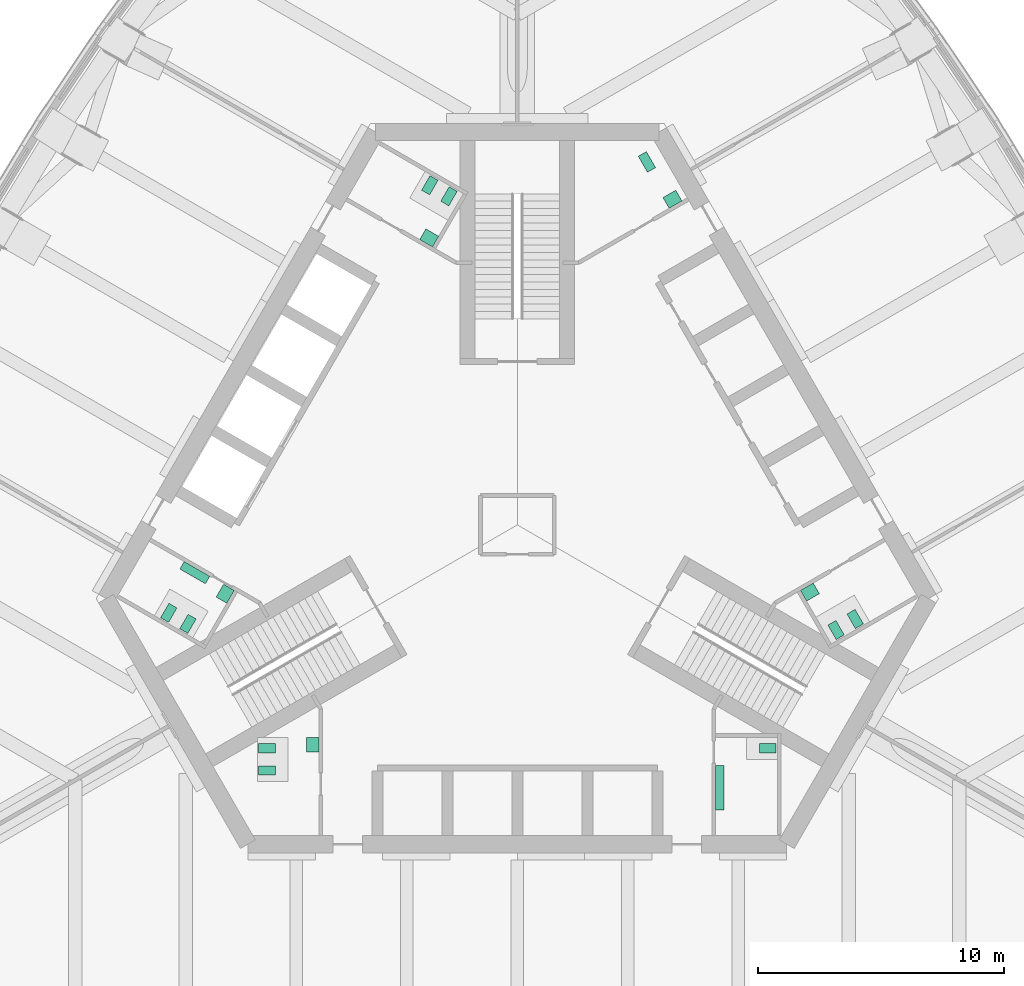
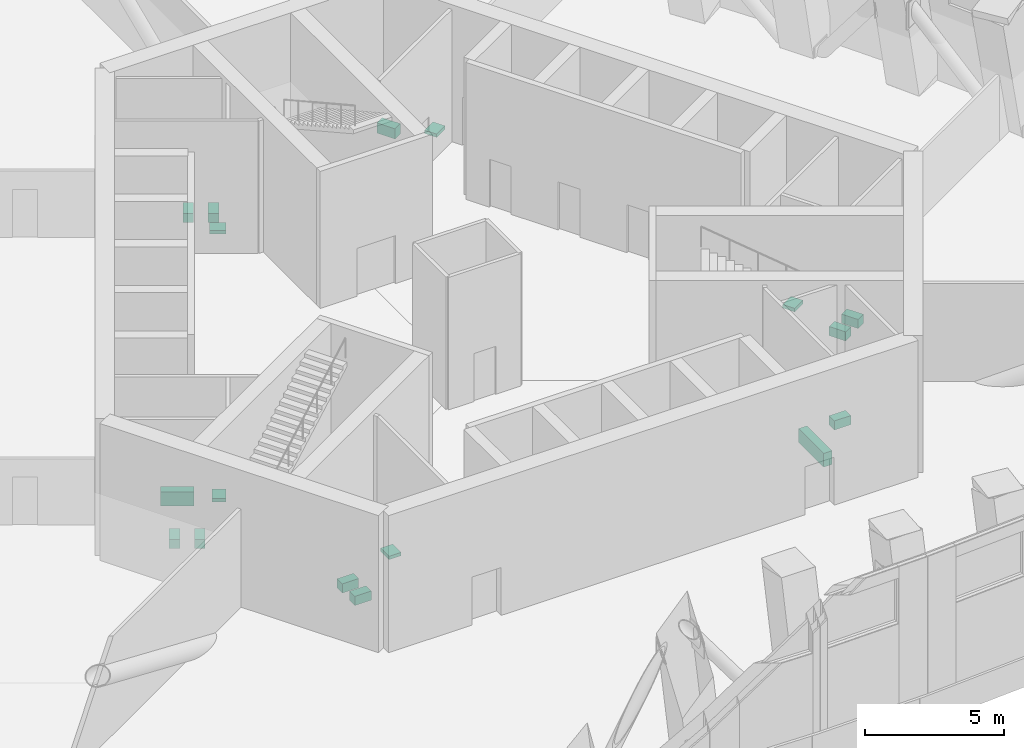
# One storey, part 21 of 22: 17 sanitary terminals.
"""IFC4 building model written with IfcOpenShell, lengths in metres."""

from ifc_helpers import new_model, si_unit, direction, frame, origin, place, context, subcontext, project, spatial, polyline, outline, extrude, material, type_object, element, save


model = new_model("IFC4")

# Units and contexts
model_context = context("Model", 3, precision=1e-05, world=origin(), true_north=direction((0.0, 1.0)))
body_context = subcontext(model_context, "Body", "Model", "MODEL_VIEW")
ifc_project = project(units=[si_unit("LENGTHUNIT", "METRE"), si_unit("AREAUNIT", "SQUARE_METRE"), si_unit("VOLUMEUNIT", "CUBIC_METRE"), si_unit("PLANEANGLEUNIT", "RADIAN"), si_unit("MASSUNIT", "GRAM", prefix="KILO")], contexts=[model_context])

# Site, building, storey
site_placement = place(None, origin())
site = spatial("IfcSite", under=ifc_project, at=site_placement, CompositionType="ELEMENT")
building_placement = place(site_placement, origin())
building = spatial("IfcBuilding", under=site, at=building_placement, Name="Trefoil Bronze Tower", CompositionType="ELEMENT")
storey_placement = place(building_placement, frame((0.0, 0.0, 265.300048828125)))
storey = spatial("IfcBuildingStorey", under=building, at=storey_placement, Name="L61", CompositionType="ELEMENT", Elevation=265.300048828125)

# Sanitary terminals
ifc_material_1 = material(Name="Vitreous china", Category="ceramic")
sanitary_terminal_type_1 = type_object("IfcSanitaryTerminalType", Name="Accessible WC pan", PredefinedType="TOILETPAN", material=ifc_material_1)
sanitary_terminal_1_placement = place(storey_placement, origin())
element("IfcSanitaryTerminal", 1, at=sanitary_terminal_1_placement, inside=storey, type_object=sanitary_terminal_type_1, Name="WC pan 1 Accessible WC L61", PredefinedType="TOILETPAN", context=body_context, shape_type="SweptSolid", body=[
    extrude(outline(polyline([(5.300537109375, 14.359130859375), (4.925537109375, 15.008544921875), (5.254638671875, 15.198486328125), (5.629638671875, 14.549072265625), (5.300537109375, 14.359130859375)])), origin(), (0.0, 0.0, 1.0), 0.449951171875),
])
ifc_material_2 = material(Name="Vitreous china", Category="ceramic")
sanitary_terminal_type_2 = type_object("IfcSanitaryTerminalType", Name="Accessible basin", PredefinedType="WASHHANDBASIN", material=ifc_material_2)
sanitary_terminal_2_placement = place(storey_placement, frame((0.0, 0.0, 0.64990234375)))
element("IfcSanitaryTerminal", 2, at=sanitary_terminal_2_placement, inside=storey, type_object=sanitary_terminal_type_2, Name="Wash basin Accessible WC L61", PredefinedType="WASHHANDBASIN", context=body_context, shape_type="SweptSolid", body=[
    extrude(outline(polyline([(6.181640625, 12.89306640625), (5.931640625, 13.326171875), (6.451171875, 13.626220703125), (6.701171875, 13.193115234375), (6.181640625, 12.89306640625)])), origin(), (0.0, 0.0, 1.0), 0.150146484375),
])
ifc_material_3 = material(Name="Vitreous china", Category="ceramic")
sanitary_terminal_type_3 = type_object("IfcSanitaryTerminalType", Name="Urinal range 2 urinals", PredefinedType="URINAL", material=ifc_material_3)
sanitary_terminal_3_placement = place(storey_placement, frame((0.0, 0.0, 0.39990234375)))
element("IfcSanitaryTerminal", 3, at=sanitary_terminal_3_placement, inside=storey, type_object=sanitary_terminal_type_3, Name="Urinal range WC (men) L61", PredefinedType="URINAL", context=body_context, shape_type="SweptSolid", body=[
    extrude(outline(polyline([(-12.524658203125, -2.09326171875), (-12.699462890625, -2.396240234375), (-13.73876953125, -1.796142578125), (-13.563720703125, -1.4931640625), (-12.524658203125, -2.09326171875)])), origin(), (0.0, 0.0, 1.0), 0.60009765625),
])
ifc_material_4 = material(Name="Vitreous china", Category="ceramic")
sanitary_terminal_type_4 = type_object("IfcSanitaryTerminalType", Name="Urinal range 3 urinals", PredefinedType="URINAL", material=ifc_material_4)
sanitary_terminal_4_placement = place(storey_placement, frame((0.0, 0.0, 0.39990234375)))
element("IfcSanitaryTerminal", 4, at=sanitary_terminal_4_placement, inside=storey, type_object=sanitary_terminal_type_4, Name="Urinal range WC (men) L61", PredefinedType="URINAL", context=body_context, shape_type="SweptSolid", body=[
    extrude(outline(polyline([(8.074951171875, -9.800048828125), (8.425048828125, -9.800048828125), (8.425048828125, -11.60009765625), (8.074951171875, -11.60009765625), (8.074951171875, -9.800048828125)])), origin(), (0.0, 0.0, 1.0), 0.60009765625),
])
ifc_material_5 = material(Name="Solid surface vanity", Category="plastic")
sanitary_terminal_type_5 = type_object("IfcSanitaryTerminalType", Name="Vanity unit 1 basins", PredefinedType="WASHHANDBASIN", material=ifc_material_5)
sanitary_terminal_5_placement = place(storey_placement, frame((0.0, 0.0, 0.75)))
element("IfcSanitaryTerminal", 5, at=sanitary_terminal_5_placement, inside=storey, type_object=sanitary_terminal_type_5, Name="Vanity unit WC (women) L61", PredefinedType="WASHHANDBASIN", context=body_context, shape_type="SweptSolid", body=[
    extrude(outline(polyline([(11.528564453125, -2.668212890625), (11.778564453125, -3.10107421875), (12.29833984375, -2.80126953125), (12.04833984375, -2.3681640625), (11.528564453125, -2.668212890625)])), origin(), (0.0, 0.0, 1.0), 0.14990234375),
])
sanitary_terminal_6_placement = place(storey_placement, frame((0.0, 0.0, 0.75)))
element("IfcSanitaryTerminal", 6, at=sanitary_terminal_6_placement, inside=storey, type_object=sanitary_terminal_type_5, Name="Vanity unit WC (women) L61", PredefinedType="WASHHANDBASIN", context=body_context, shape_type="SweptSolid", body=[
    extrude(outline(polyline([(-3.45361328125, 11.318115234375), (-3.20361328125, 11.751220703125), (-3.72314453125, 12.05126953125), (-3.97314453125, 11.6181640625), (-3.45361328125, 11.318115234375)])), origin(), (0.0, 0.0, 1.0), 0.14990234375),
])
sanitary_terminal_7_placement = place(storey_placement, frame((0.0, 0.0, 0.75)))
element("IfcSanitaryTerminal", 7, at=sanitary_terminal_7_placement, inside=storey, type_object=sanitary_terminal_type_5, Name="Vanity unit WC (men) L61", PredefinedType="WASHHANDBASIN", context=body_context, shape_type="SweptSolid", body=[
    extrude(outline(polyline([(-11.528564453125, -2.668212890625), (-11.82861328125, -3.187744140625), (-12.26171875, -2.937744140625), (-11.961669921875, -2.418212890625), (-11.528564453125, -2.668212890625)])), origin(), (0.0, 0.0, 1.0), 0.14990234375),
])
sanitary_terminal_8_placement = place(storey_placement, frame((0.0, 0.0, 0.75)))
element("IfcSanitaryTerminal", 8, at=sanitary_terminal_8_placement, inside=storey, type_object=sanitary_terminal_type_5, Name="Vanity unit WC (women) L61", PredefinedType="WASHHANDBASIN", context=body_context, shape_type="SweptSolid", body=[
    extrude(outline(polyline([(-8.074951171875, -8.64990234375), (-8.574951171875, -8.64990234375), (-8.574951171875, -9.25), (-8.074951171875, -9.25), (-8.074951171875, -8.64990234375)])), origin(), (0.0, 0.0, 1.0), 0.14990234375),
])
ifc_material_6 = material(Name="Vitreous china", Category="ceramic")
sanitary_terminal_type_6 = type_object("IfcSanitaryTerminalType", Name="WC pan", PredefinedType="TOILETPAN", material=ifc_material_6)
sanitary_terminal_9_placement = place(storey_placement, origin())
element("IfcSanitaryTerminal", 9, at=sanitary_terminal_9_placement, inside=storey, type_object=sanitary_terminal_type_6, Name="WC pan 1 WC (men) L61", PredefinedType="TOILETPAN", context=body_context, shape_type="SweptSolid", body=[
    extrude(outline(polyline([(9.85498046875, -8.909912109375), (10.534912109375, -8.909912109375), (10.534912109375, -9.2900390625), (9.85498046875, -9.2900390625), (9.85498046875, -8.909912109375)])), origin(), (0.0, 0.0, 1.0), 0.39990234375),
])
sanitary_terminal_10_placement = place(storey_placement, origin())
element("IfcSanitaryTerminal", 10, at=sanitary_terminal_10_placement, inside=storey, type_object=sanitary_terminal_type_6, Name="WC pan 1 WC (women) L61", PredefinedType="TOILETPAN", context=body_context, shape_type="SweptSolid", body=[
    extrude(outline(polyline([(12.643798828125, -4.07958984375), (12.98388671875, -4.66845703125), (13.31298828125, -4.478515625), (12.972900390625, -3.8896484375), (12.643798828125, -4.07958984375)])), origin(), (0.0, 0.0, 1.0), 0.39990234375),
])
sanitary_terminal_11_placement = place(storey_placement, origin())
element("IfcSanitaryTerminal", 11, at=sanitary_terminal_11_placement, inside=storey, type_object=sanitary_terminal_type_6, Name="WC pan 2 WC (women) L61", PredefinedType="TOILETPAN", context=body_context, shape_type="SweptSolid", body=[
    extrude(outline(polyline([(13.423095703125, -3.629638671875), (13.76318359375, -4.218505859375), (14.09228515625, -4.028564453125), (13.752197265625, -3.439697265625), (13.423095703125, -3.629638671875)])), origin(), (0.0, 0.0, 1.0), 0.39990234375),
])
sanitary_terminal_12_placement = place(storey_placement, origin())
element("IfcSanitaryTerminal", 12, at=sanitary_terminal_12_placement, inside=storey, type_object=sanitary_terminal_type_6, Name="WC pan 1 WC (women) L61", PredefinedType="TOILETPAN", context=body_context, shape_type="SweptSolid", body=[
    extrude(outline(polyline([(-2.788818359375, 12.98974609375), (-2.44873046875, 13.57861328125), (-2.77783203125, 13.7685546875), (-3.117919921875, 13.1796875), (-2.788818359375, 12.98974609375)])), origin(), (0.0, 0.0, 1.0), 0.39990234375),
])
sanitary_terminal_13_placement = place(storey_placement, origin())
element("IfcSanitaryTerminal", 13, at=sanitary_terminal_13_placement, inside=storey, type_object=sanitary_terminal_type_6, Name="WC pan 2 WC (women) L61", PredefinedType="TOILETPAN", context=body_context, shape_type="SweptSolid", body=[
    extrude(outline(polyline([(-3.568115234375, 13.439697265625), (-3.228271484375, 14.028564453125), (-3.557373046875, 14.218505859375), (-3.897216796875, 13.629638671875), (-3.568115234375, 13.439697265625)])), origin(), (0.0, 0.0, 1.0), 0.39990234375),
])
sanitary_terminal_14_placement = place(storey_placement, origin())
element("IfcSanitaryTerminal", 14, at=sanitary_terminal_14_placement, inside=storey, type_object=sanitary_terminal_type_6, Name="WC pan 1 WC (men) L61", PredefinedType="TOILETPAN", context=body_context, shape_type="SweptSolid", body=[
    extrude(outline(polyline([(-13.076904296875, -3.82958984375), (-13.416748046875, -4.41845703125), (-13.745849609375, -4.228515625), (-13.406005859375, -3.6396484375), (-13.076904296875, -3.82958984375)])), origin(), (0.0, 0.0, 1.0), 0.39990234375),
])
sanitary_terminal_15_placement = place(storey_placement, origin())
element("IfcSanitaryTerminal", 15, at=sanitary_terminal_15_placement, inside=storey, type_object=sanitary_terminal_type_6, Name="WC pan 2 WC (men) L61", PredefinedType="TOILETPAN", context=body_context, shape_type="SweptSolid", body=[
    extrude(outline(polyline([(-13.856201171875, -3.379638671875), (-14.1962890625, -3.968505859375), (-14.525390625, -3.778564453125), (-14.185302734375, -3.189697265625), (-13.856201171875, -3.379638671875)])), origin(), (0.0, 0.0, 1.0), 0.39990234375),
])
sanitary_terminal_16_placement = place(storey_placement, origin())
element("IfcSanitaryTerminal", 16, at=sanitary_terminal_16_placement, inside=storey, type_object=sanitary_terminal_type_6, Name="WC pan 1 WC (women) L61", PredefinedType="TOILETPAN", context=body_context, shape_type="SweptSolid", body=[
    extrude(outline(polyline([(-9.85498046875, -8.909912109375), (-10.534912109375, -8.909912109375), (-10.534912109375, -9.2900390625), (-9.85498046875, -9.2900390625), (-9.85498046875, -8.909912109375)])), origin(), (0.0, 0.0, 1.0), 0.39990234375),
])
sanitary_terminal_17_placement = place(storey_placement, origin())
element("IfcSanitaryTerminal", 17, at=sanitary_terminal_17_placement, inside=storey, type_object=sanitary_terminal_type_6, Name="WC pan 2 WC (women) L61", PredefinedType="TOILETPAN", context=body_context, shape_type="SweptSolid", body=[
    extrude(outline(polyline([(-9.85498046875, -9.81005859375), (-10.534912109375, -9.81005859375), (-10.534912109375, -10.18994140625), (-9.85498046875, -10.18994140625), (-9.85498046875, -9.81005859375)])), origin(), (0.0, 0.0, 1.0), 0.39990234375),
])

save(model, "model.ifc")
